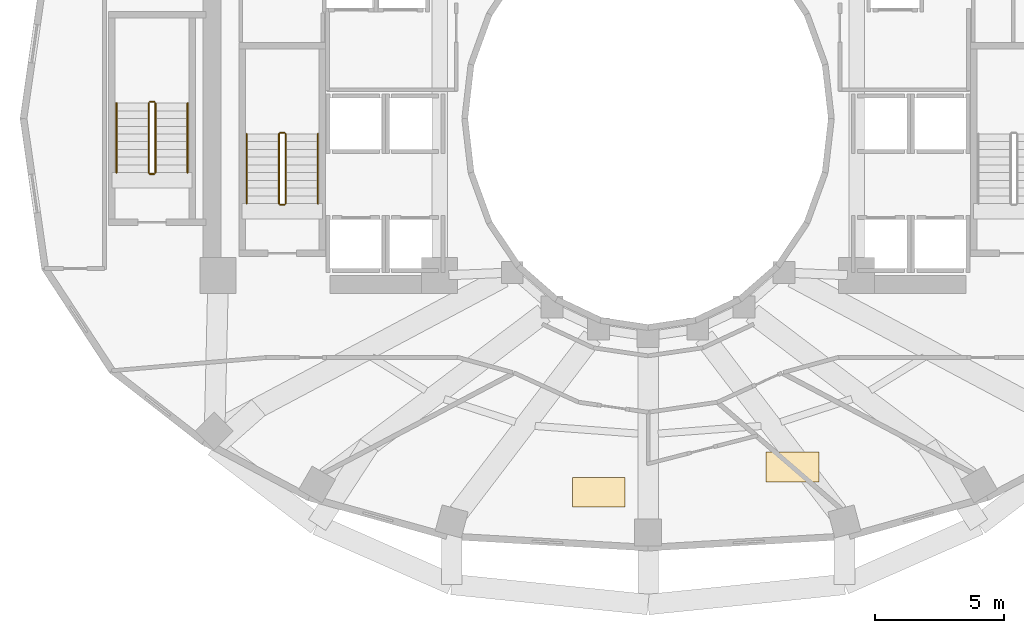
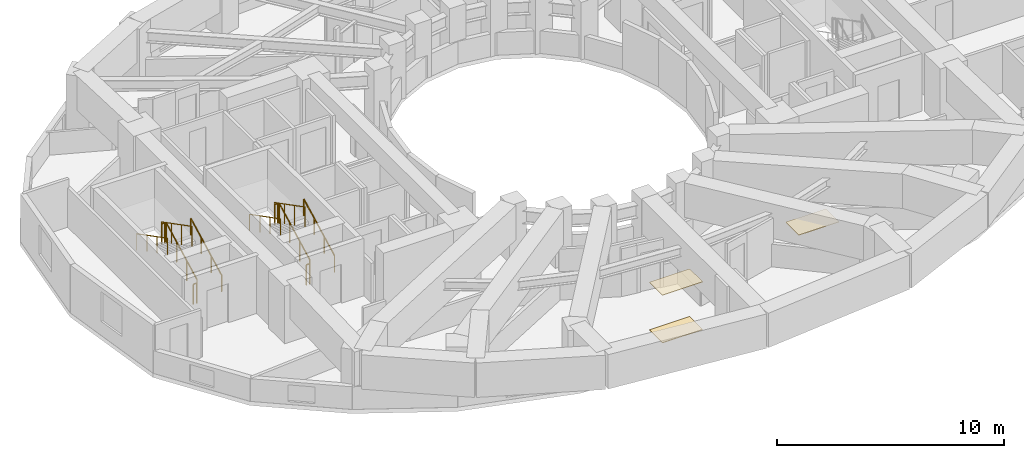
# One storey, part 12 of 14: 12 railings, 3 coverings.
"""IFC4 building model written with IfcOpenShell, lengths in metres."""

from ifc_helpers import new_model, si_unit, direction, frame, origin, origin_2d, place, context, subcontext, project, spatial, polyline, circle, outline, extrude, material, layer, layer_set, type_object, element, save


model = new_model("IFC4")

# Units and contexts
model_context = context("Model", 3, precision=1e-05, world=origin(), true_north=direction((0.0, 1.0)))
body_context = subcontext(model_context, "Body", "Model", "MODEL_VIEW")
ifc_project = project(units=[si_unit("LENGTHUNIT", "METRE"), si_unit("AREAUNIT", "SQUARE_METRE"), si_unit("VOLUMEUNIT", "CUBIC_METRE"), si_unit("PLANEANGLEUNIT", "RADIAN"), si_unit("MASSUNIT", "GRAM", prefix="KILO")], contexts=[model_context])

# Site, building, storey
site_placement = place(None, origin())
site = spatial("IfcSite", under=ifc_project, at=site_placement, CompositionType="ELEMENT")
building_placement = place(site_placement, origin())
building = spatial("IfcBuilding", under=site, at=building_placement, Name="Solvane Sanctuary Tower", CompositionType="ELEMENT")
storey_placement = place(building_placement, frame((0.0, 0.0, 91.800048828125)))
storey = spatial("IfcBuildingStorey", under=building, at=storey_placement, Name="L27", CompositionType="ELEMENT", Elevation=91.800048828125)

# Coverings
ifc_material_1 = material(Name="Acoustic Gypsum Partition Board")
ifc_layer_1 = layer(ifc_material_1, 0.02490234375, Name="Acoustic Gypsum Partition Board")
ifc_layer_set_1 = layer_set([ifc_layer_1], Name="Acoustic Gypsum Partition Board")
covering_type_1 = type_object("IfcCoveringType", Name="Covering CLG-ACOUST", PredefinedType="CEILING", material=ifc_layer_set_1)
covering_1_placement = place(storey_placement, frame((0.0, 0.0, 2.570068359375)))
element("IfcCovering", 1, at=covering_1_placement, inside=storey, type_object=covering_type_1, Name="L27 Unit Acoustic Ceiling Panel 3", PredefinedType="CEILING", context=body_context, shape_type="SweptSolid", body=[
    extrude(outline(polyline([(29.06298828125, 7.89990234375), (31.113037109375, 7.89990234375), (31.113037109375, 9.050048828125), (29.06298828125, 9.050048828125), (29.06298828125, 7.89990234375)])), origin(), (0.0, 0.0, 1.0), 0.02978515625),
])
covering_2_placement = place(storey_placement, frame((0.0, 0.0, 2.570068359375)))
element("IfcCovering", 2, at=covering_2_placement, inside=storey, type_object=covering_type_1, Name="L27 Unit Acoustic Ceiling Panel 4", PredefinedType="CEILING", context=body_context, shape_type="SweptSolid", body=[
    extrude(outline(polyline([(36.5810546875, 8.889892578125), (38.631103515625, 8.889892578125), (38.631103515625, 10.0400390625), (36.5810546875, 10.0400390625), (36.5810546875, 8.889892578125)])), origin(), (0.0, 0.0, 1.0), 0.02978515625),
])
ifc_material_2 = material(Name="Ceramic Tile Finish")
ifc_layer_2 = layer(ifc_material_2, 0.030029296875, Name="Ceramic Tile Finish")
ifc_layer_set_2 = layer_set([ifc_layer_2], Name="Ceramic Tile Finish")
covering_type_2 = type_object("IfcCoveringType", Name="Covering FLR-TERRAZZO", PredefinedType="FLOORING", material=ifc_layer_set_2)
covering_3_placement = place(storey_placement, origin())
element("IfcCovering", 3, at=covering_3_placement, inside=storey, type_object=covering_type_2, Name="L27 Unit Terrazzo Inlay 3", PredefinedType="FLOORING", context=body_context, shape_type="SweptSolid", body=[
    extrude(outline(polyline([(29.06298828125, 7.89990234375), (31.113037109375, 7.89990234375), (31.113037109375, 9.050048828125), (29.06298828125, 9.050048828125), (29.06298828125, 7.89990234375)])), origin(), (0.0, 0.0, 1.0), 0.034912109375),
])

# Railings
ifc_material_3 = material(Name="Architectural Stainless Steel 316", Category="steel")
railing_type_1 = type_object("IfcRailingType", Name="Railing GR-BALC-1150", PredefinedType="BALUSTRADE", material=ifc_material_3)
railing_1_placement = place(storey_placement, frame((17.919921875, 19.699951171875, 0.155029296875)))
element("IfcRailing", 4, at=railing_1_placement, inside=storey, type_object=railing_type_1, Name="L27 ST-1 stair guard 1", PredefinedType="BALUSTRADE", context=body_context, shape_type="SweptSolid", body=[
    extrude(circle(Radius=0.02392578125, at=origin_2d()), frame((0.0, 0.0, 1.076171875), z_axis=(0.0, 0.888419900624, 0.459031676658), x_axis=(-1.0, 0.0, 0.0)), (0.0, 0.0, 1.0), 3.0390625),
    extrude(circle(Radius=0.02099609375, at=origin_2d()), origin(), (0.0, 0.0, 1.0), 1.052001953125),
    extrude(circle(Radius=0.02099609375, at=origin_2d()), frame((0.0, 0.89990234375, 0.465087890625)), (0.0, 0.0, 1.0), 1.052001953125),
    extrude(circle(Radius=0.02099609375, at=origin_2d()), frame((0.0, 1.800048828125, 0.929931640625)), (0.0, 0.0, 1.0), 1.052001953125),
    extrude(circle(Radius=0.02099609375, at=origin_2d()), frame((0.0, 2.699951171875, 1.39501953125)), (0.0, 0.0, 1.0), 1.052001953125),
])
railing_2_placement = place(storey_placement, frame((17.8701171875, 22.449951171875, 1.550048828125)))
element("IfcRailing", 5, at=railing_2_placement, inside=storey, type_object=railing_type_1, Name="L27 ST-1 stair guard 2", PredefinedType="BALUSTRADE", context=body_context, shape_type="SweptSolid", body=[
    extrude(circle(Radius=0.02392578125, at=origin_2d()), frame((0.0, 0.0, 1.076171875), z_axis=(-1.0, 0.0, 0.0), x_axis=(0.0, -1.0, 0.0)), (0.0, 0.0, 1.0), 0.16015625),
    extrude(circle(Radius=0.02099609375, at=origin_2d()), origin(), (0.0, 0.0, 1.0), 1.052001953125),
    extrude(circle(Radius=0.02099609375, at=origin_2d()), frame((-0.16015625, 0.0, 0.0)), (0.0, 0.0, 1.0), 1.052001953125),
])
railing_3_placement = place(storey_placement, frame((17.659912109375, 22.39990234375, 1.704833984375)))
element("IfcRailing", 6, at=railing_3_placement, inside=storey, type_object=railing_type_1, Name="L27 ST-1 stair guard 3", PredefinedType="BALUSTRADE", context=body_context, shape_type="SweptSolid", body=[
    extrude(circle(Radius=0.02392578125, at=origin_2d()), frame((0.0, 0.0, 1.076171875), z_axis=(0.0, -0.888419900624, 0.459031676658), x_axis=(1.0, 0.0, 0.0)), (0.0, 0.0, 1.0), 3.0390625),
    extrude(circle(Radius=0.02099609375, at=origin_2d()), origin(), (0.0, 0.0, 1.0), 1.052001953125),
    extrude(circle(Radius=0.02099609375, at=origin_2d()), frame((0.0, -0.89990234375, 0.465087890625)), (0.0, 0.0, 1.0), 1.052001953125),
    extrude(circle(Radius=0.02099609375, at=origin_2d()), frame((0.0, -1.800048828125, 0.929931640625)), (0.0, 0.0, 1.0), 1.052001953125),
    extrude(circle(Radius=0.02099609375, at=origin_2d()), frame((0.0, -2.699951171875, 1.39501953125)), (0.0, 0.0, 1.0), 1.052001953125),
])
railing_4_placement = place(storey_placement, frame((17.8701171875, 19.64990234375, 0.0)))
element("IfcRailing", 7, at=railing_4_placement, inside=storey, type_object=railing_type_1, Name="L27 ST-1 stair guard 4", PredefinedType="BALUSTRADE", context=body_context, shape_type="SweptSolid", body=[
    extrude(circle(Radius=0.02392578125, at=origin_2d()), frame((0.0, 0.0, 1.076171875), z_axis=(-1.0, 0.0, 0.0), x_axis=(0.0, -1.0, 0.0)), (0.0, 0.0, 1.0), 0.16015625),
    extrude(circle(Radius=0.02099609375, at=origin_2d()), origin(), (0.0, 0.0, 1.0), 1.052001953125),
    extrude(circle(Radius=0.02099609375, at=origin_2d()), frame((-0.16015625, 0.0, 0.0)), (0.0, 0.0, 1.0), 1.052001953125),
])
railing_5_placement = place(storey_placement, frame((12.860107421875, 20.89990234375, 0.155029296875)))
element("IfcRailing", 8, at=railing_5_placement, inside=storey, type_object=railing_type_1, Name="L27 ST-3 stair guard 1", PredefinedType="BALUSTRADE", context=body_context, shape_type="SweptSolid", body=[
    extrude(circle(Radius=0.02392578125, at=origin_2d()), frame((0.0, 0.0, 1.076171875), z_axis=(0.0, 0.888436826113, 0.458998917216), x_axis=(-1.0, 0.0, 0.0)), (0.0, 0.0, 1.0), 3.039306640625),
    extrude(circle(Radius=0.02099609375, at=origin_2d()), origin(), (0.0, 0.0, 1.0), 1.052001953125),
    extrude(circle(Radius=0.02099609375, at=origin_2d()), frame((0.0, 0.900146484375, 0.465087890625)), (0.0, 0.0, 1.0), 1.052001953125),
    extrude(circle(Radius=0.02099609375, at=origin_2d()), frame((0.0, 1.800048828125, 0.929931640625)), (0.0, 0.0, 1.0), 1.052001953125),
    extrude(circle(Radius=0.02099609375, at=origin_2d()), frame((0.0, 2.7001953125, 1.39501953125)), (0.0, 0.0, 1.0), 1.052001953125),
])
railing_6_placement = place(storey_placement, frame((12.81005859375, 23.64990234375, 1.550048828125)))
element("IfcRailing", 9, at=railing_6_placement, inside=storey, type_object=railing_type_1, Name="L27 ST-3 stair guard 2", PredefinedType="BALUSTRADE", context=body_context, shape_type="SweptSolid", body=[
    extrude(circle(Radius=0.02392578125, at=origin_2d()), frame((0.0, 0.0, 1.076171875), z_axis=(-1.0, 0.0, 0.0), x_axis=(0.0, -1.0, 0.0)), (0.0, 0.0, 1.0), 0.16015625),
    extrude(circle(Radius=0.02099609375, at=origin_2d()), origin(), (0.0, 0.0, 1.0), 1.052001953125),
    extrude(circle(Radius=0.02099609375, at=origin_2d()), frame((-0.16015625, 0.0, 0.0)), (0.0, 0.0, 1.0), 1.052001953125),
])
railing_7_placement = place(storey_placement, frame((12.60009765625, 23.60009765625, 1.704833984375)))
element("IfcRailing", 10, at=railing_7_placement, inside=storey, type_object=railing_type_1, Name="L27 ST-3 stair guard 3", PredefinedType="BALUSTRADE", context=body_context, shape_type="SweptSolid", body=[
    extrude(circle(Radius=0.02392578125, at=origin_2d()), frame((0.0, 0.0, 1.076171875), z_axis=(0.0, -0.888436826113, 0.458998917216), x_axis=(1.0, 0.0, 0.0)), (0.0, 0.0, 1.0), 3.039306640625),
    extrude(circle(Radius=0.02099609375, at=origin_2d()), origin(), (0.0, 0.0, 1.0), 1.052001953125),
    extrude(circle(Radius=0.02099609375, at=origin_2d()), frame((0.0, -0.900146484375, 0.465087890625)), (0.0, 0.0, 1.0), 1.052001953125),
    extrude(circle(Radius=0.02099609375, at=origin_2d()), frame((0.0, -1.800048828125, 0.929931640625)), (0.0, 0.0, 1.0), 1.052001953125),
    extrude(circle(Radius=0.02099609375, at=origin_2d()), frame((0.0, -2.7001953125, 1.39501953125)), (0.0, 0.0, 1.0), 1.052001953125),
])
railing_8_placement = place(storey_placement, frame((12.81005859375, 20.85009765625, 0.0)))
element("IfcRailing", 11, at=railing_8_placement, inside=storey, type_object=railing_type_1, Name="L27 ST-3 stair guard 4", PredefinedType="BALUSTRADE", context=body_context, shape_type="SweptSolid", body=[
    extrude(circle(Radius=0.02392578125, at=origin_2d()), frame((0.0, 0.0, 1.076171875), z_axis=(-1.0, 0.0, 0.0), x_axis=(0.0, -1.0, 0.0)), (0.0, 0.0, 1.0), 0.16015625),
    extrude(circle(Radius=0.02099609375, at=origin_2d()), origin(), (0.0, 0.0, 1.0), 1.052001953125),
    extrude(circle(Radius=0.02099609375, at=origin_2d()), frame((-0.16015625, 0.0, 0.0)), (0.0, 0.0, 1.0), 1.052001953125),
])
railing_type_2 = type_object("IfcRailingType", Name="Railing HR-STAIR-920", PredefinedType="HANDRAIL", material=ifc_material_3)
railing_9_placement = place(storey_placement, frame((19.169921875, 19.699951171875, 0.155029296875)))
element("IfcRailing", 12, at=railing_9_placement, inside=storey, type_object=railing_type_2, Name="L27 ST-1 stair handrail 1", PredefinedType="HANDRAIL", context=body_context, shape_type="SweptSolid", body=[
    extrude(circle(Radius=0.02392578125, at=origin_2d()), frame((0.0, 0.0, 0.8759765625), z_axis=(0.0, 0.888419900624, 0.459031676658), x_axis=(-1.0, 0.0, 0.0)), (0.0, 0.0, 1.0), 3.0390625),
    extrude(circle(Radius=0.02099609375, at=origin_2d()), origin(), (0.0, 0.0, 1.0), 0.851806640625),
    extrude(circle(Radius=0.02099609375, at=origin_2d()), frame((0.0, 0.89990234375, 0.465087890625)), (0.0, 0.0, 1.0), 0.851806640625),
    extrude(circle(Radius=0.02099609375, at=origin_2d()), frame((0.0, 1.800048828125, 0.929931640625)), (0.0, 0.0, 1.0), 0.851806640625),
    extrude(circle(Radius=0.02099609375, at=origin_2d()), frame((0.0, 2.699951171875, 1.39501953125)), (0.0, 0.0, 1.0), 0.851806640625),
])
railing_10_placement = place(storey_placement, frame((16.409912109375, 22.39990234375, 1.704833984375)))
element("IfcRailing", 13, at=railing_10_placement, inside=storey, type_object=railing_type_2, Name="L27 ST-1 stair handrail 2", PredefinedType="HANDRAIL", context=body_context, shape_type="SweptSolid", body=[
    extrude(circle(Radius=0.02392578125, at=origin_2d()), frame((0.0, 0.0, 0.8759765625), z_axis=(0.0, -0.888419900624, 0.459031676658), x_axis=(1.0, 0.0, 0.0)), (0.0, 0.0, 1.0), 3.0390625),
    extrude(circle(Radius=0.02099609375, at=origin_2d()), origin(), (0.0, 0.0, 1.0), 0.851806640625),
    extrude(circle(Radius=0.02099609375, at=origin_2d()), frame((0.0, -0.89990234375, 0.465087890625)), (0.0, 0.0, 1.0), 0.851806640625),
    extrude(circle(Radius=0.02099609375, at=origin_2d()), frame((0.0, -1.800048828125, 0.929931640625)), (0.0, 0.0, 1.0), 0.851806640625),
    extrude(circle(Radius=0.02099609375, at=origin_2d()), frame((0.0, -2.699951171875, 1.39501953125)), (0.0, 0.0, 1.0), 0.851806640625),
])
railing_11_placement = place(storey_placement, frame((14.110107421875, 20.89990234375, 0.155029296875)))
element("IfcRailing", 14, at=railing_11_placement, inside=storey, type_object=railing_type_2, Name="L27 ST-3 stair handrail 1", PredefinedType="HANDRAIL", context=body_context, shape_type="SweptSolid", body=[
    extrude(circle(Radius=0.02392578125, at=origin_2d()), frame((0.0, 0.0, 0.8759765625), z_axis=(0.0, 0.888436826113, 0.458998917216), x_axis=(-1.0, 0.0, 0.0)), (0.0, 0.0, 1.0), 3.039306640625),
    extrude(circle(Radius=0.02099609375, at=origin_2d()), origin(), (0.0, 0.0, 1.0), 0.851806640625),
    extrude(circle(Radius=0.02099609375, at=origin_2d()), frame((0.0, 0.900146484375, 0.465087890625)), (0.0, 0.0, 1.0), 0.851806640625),
    extrude(circle(Radius=0.02099609375, at=origin_2d()), frame((0.0, 1.800048828125, 0.929931640625)), (0.0, 0.0, 1.0), 0.851806640625),
    extrude(circle(Radius=0.02099609375, at=origin_2d()), frame((0.0, 2.7001953125, 1.39501953125)), (0.0, 0.0, 1.0), 0.851806640625),
])
railing_12_placement = place(storey_placement, frame((11.35009765625, 23.60009765625, 1.704833984375)))
element("IfcRailing", 15, at=railing_12_placement, inside=storey, type_object=railing_type_2, Name="L27 ST-3 stair handrail 2", PredefinedType="HANDRAIL", context=body_context, shape_type="SweptSolid", body=[
    extrude(circle(Radius=0.02392578125, at=origin_2d()), frame((0.0, 0.0, 0.8759765625), z_axis=(0.0, -0.888436826113, 0.458998917216), x_axis=(1.0, 0.0, 0.0)), (0.0, 0.0, 1.0), 3.039306640625),
    extrude(circle(Radius=0.02099609375, at=origin_2d()), origin(), (0.0, 0.0, 1.0), 0.851806640625),
    extrude(circle(Radius=0.02099609375, at=origin_2d()), frame((0.0, -0.900146484375, 0.465087890625)), (0.0, 0.0, 1.0), 0.851806640625),
    extrude(circle(Radius=0.02099609375, at=origin_2d()), frame((0.0, -1.800048828125, 0.929931640625)), (0.0, 0.0, 1.0), 0.851806640625),
    extrude(circle(Radius=0.02099609375, at=origin_2d()), frame((0.0, -2.7001953125, 1.39501953125)), (0.0, 0.0, 1.0), 0.851806640625),
])

save(model, "model.ifc")
